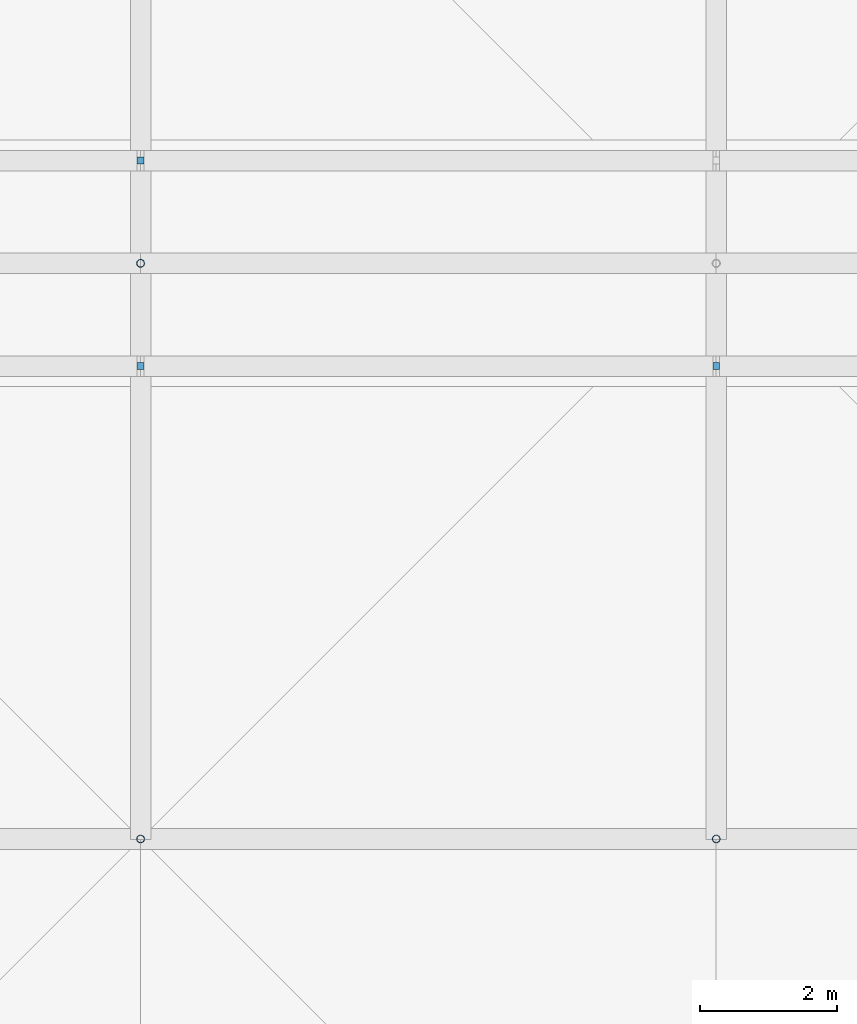
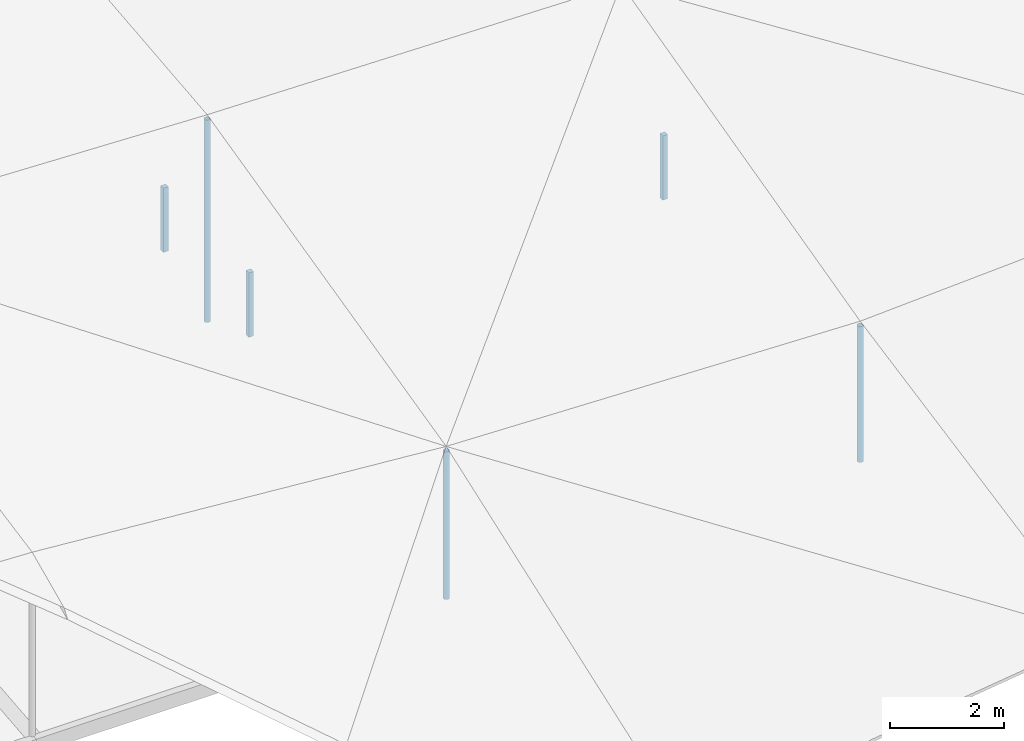
# One storey, part 28 of 46: 6 discrete accessories.
"""IFC4 building model written with IfcOpenShell, lengths in metres."""

from ifc_helpers import new_model, si_unit, direction, frame, origin, origin_2d, place, context, subcontext, project, spatial, rectangle, hollow_circle, extrude, material, layer, layer_set, material_profile, profile_set, type_object, element, save


model = new_model("IFC4")

# Units and contexts
model_context = context("Model", 3, precision=1e-05, world=origin(), true_north=direction((0.0, 1.0)))
body_context = subcontext(model_context, "Body", "Model", "MODEL_VIEW")
ifc_project = project(units=[si_unit("LENGTHUNIT", "METRE"), si_unit("AREAUNIT", "SQUARE_METRE"), si_unit("VOLUMEUNIT", "CUBIC_METRE"), si_unit("PLANEANGLEUNIT", "RADIAN"), si_unit("MASSUNIT", "GRAM", prefix="KILO")], contexts=[model_context])

# Site, building, storey
site_placement = place(None, origin())
site = spatial("IfcSite", under=ifc_project, at=site_placement, CompositionType="ELEMENT")
building_placement = place(site_placement, origin())
building = spatial("IfcBuilding", under=site, at=building_placement, Name="Rain Tree Exposition and Congress Centre", CompositionType="ELEMENT")
storey_placement = place(building_placement, frame((0.0, 0.0, 27.0)))
storey = spatial("IfcBuildingStorey", under=building, at=storey_placement, Name="ROOF VAULT CREST", CompositionType="ELEMENT", Elevation=27.0)

# Discrete accessories
ifc_material_1 = material(Name="Steel S355J2", Category="steel")
ifc_layer = layer(ifc_material_1, 0.10009765625)
ifc_layer_set = layer_set([ifc_layer], Name="Steel S355J2")
discrete_accessory_type_1 = type_object("IfcDiscreteAccessoryType", Name="Ridge lantern post 100", PredefinedType="BRACKET", material=ifc_layer_set)
for number, where, z_axis, x_axis, name in (
    (1, (176.39990234375, 174.89990234375, 2.0), (0.0, 0.0, 1.0), (1.0, 0.0, 0.0), "Lantern post SR1-4"),
    (2, (184.800048828125, 174.89990234375, 2.0), (0.0, 0.0, 1.0), (1.0, 0.0, 0.0), "Lantern post SR1-5"),
    (3, (176.39990234375, 177.89990234375, 2.0), (0.0, 0.0, 1.0), (1.0, 0.0, 0.0), "Lantern post NR1-4"),
):
    element("IfcDiscreteAccessory", number, at=place(storey_placement, frame(where, z_axis=z_axis, x_axis=x_axis)), inside=storey, type_object=discrete_accessory_type_1, Name=name, PredefinedType="BRACKET", context=body_context, shape_type="SweptSolid", body=[
        extrude(rectangle(XDim=0.10009765625, YDim=0.10009765625, at=origin_2d()), origin(), (0.0, 0.0, 1.0), 1.3798828125),
    ])
ifc_material_2 = material(Name="Steel S355J2H", Category="steel")
ifc_material_profile = material_profile(ifc_material_2, hollow_circle(Radius=0.05712890625, WallThickness=0.00439453125, at=origin_2d()), Name="CHS 114x4.5")
ifc_profile_set = profile_set([ifc_material_profile], Name="Steel S355J2H")
discrete_accessory_type_2 = type_object("IfcDiscreteAccessoryType", Name="Roof skin post CHS 114x4.5", PredefinedType="BRACKET", material=ifc_profile_set)
discrete_accessory_1_placement = place(storey_placement, frame((176.39990234375, 168.0, 0.551025390625), z_axis=(0.0, 0.0, 1.0), x_axis=(1.0, 0.0, 0.0)))
element("IfcDiscreteAccessory", 4, at=discrete_accessory_1_placement, inside=storey, type_object=discrete_accessory_type_2, Name="Roof skin post B109", PredefinedType="BRACKET", context=body_context, shape_type="SweptSolid", body=[
    extrude(hollow_circle(Radius=0.05712890625, WallThickness=0.00439453125, at=origin_2d()), origin(), (0.0, 0.0, 1.0), 3.1689453125),
])
discrete_accessory_2_placement = place(storey_placement, frame((184.800048828125, 168.0, 0.551025390625), z_axis=(0.0, 0.0, 1.0), x_axis=(1.0, 0.0, 0.0)))
element("IfcDiscreteAccessory", 5, at=discrete_accessory_2_placement, inside=storey, type_object=discrete_accessory_type_2, Name="Roof skin post B110", PredefinedType="BRACKET", context=body_context, shape_type="SweptSolid", body=[
    extrude(hollow_circle(Radius=0.05712890625, WallThickness=0.00439453125, at=origin_2d()), origin(), (0.0, 0.0, 1.0), 2.9140625),
])
discrete_accessory_3_placement = place(storey_placement, frame((176.39990234375, 176.39990234375, 1.39990234375), z_axis=(0.0, 0.0, 1.0), x_axis=(1.0, 0.0, 0.0)))
element("IfcDiscreteAccessory", 6, at=discrete_accessory_3_placement, inside=storey, type_object=discrete_accessory_type_2, Name="Roof skin post B122", PredefinedType="BRACKET", context=body_context, shape_type="SweptSolid", body=[
    extrude(hollow_circle(Radius=0.05712890625, WallThickness=0.00439453125, at=origin_2d()), origin(), (0.0, 0.0, 1.0), 4.340576171875),
])

save(model, "model.ifc")
